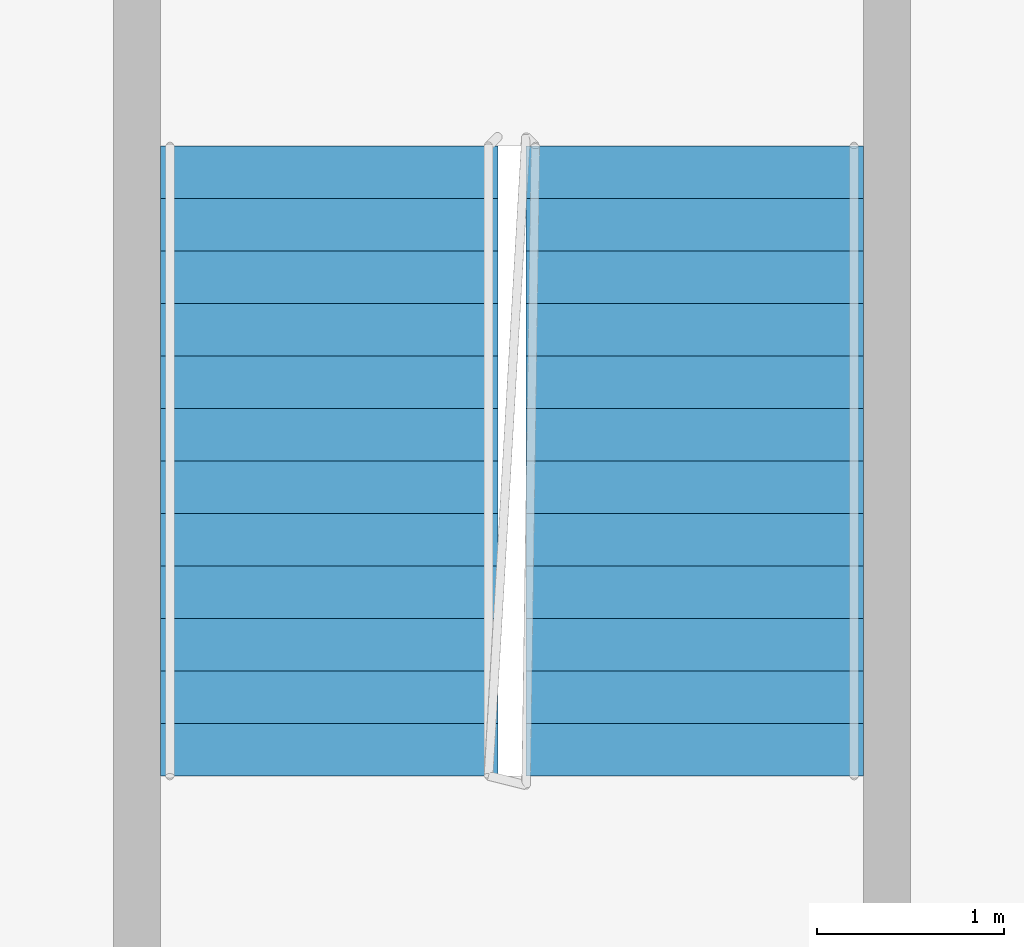
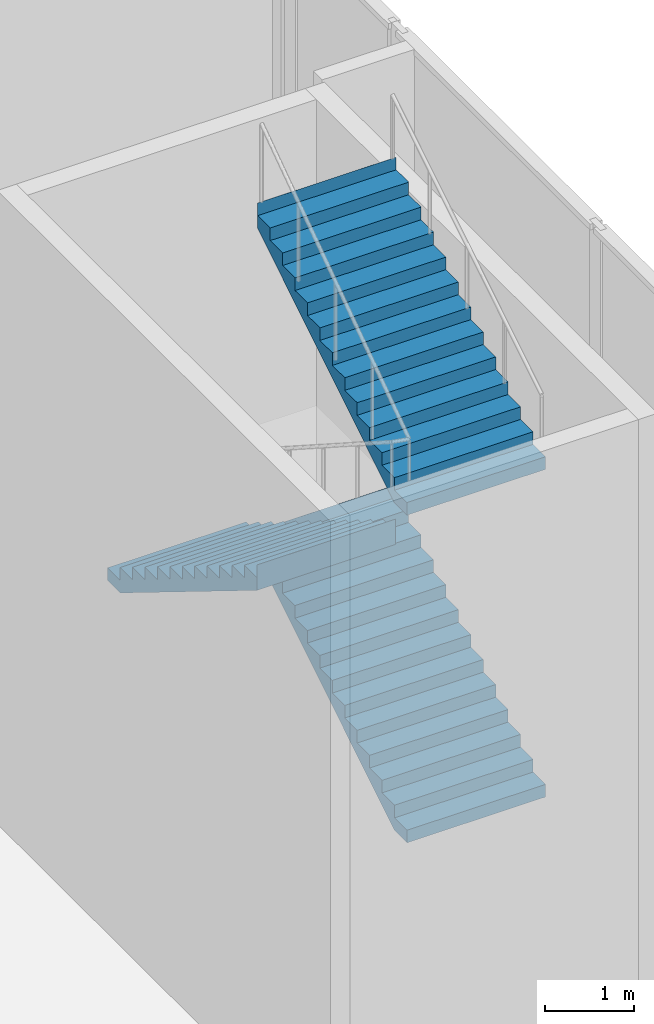
# One storey, part 20 of 24: 3 stair flights, 1 element without a shape of its own.
"""IFC4 building model written with IfcOpenShell, lengths in metres."""

from ifc_helpers import new_model, si_unit, direction, frame, origin, place, context, subcontext, project, spatial, faceted_brep, material, type_object, element, aggregate, save


model = new_model("IFC4")

# Units and contexts
model_context = context("Model", 3, precision=1e-05, world=origin(), true_north=direction((0.0, 1.0)))
body_context = subcontext(model_context, "Body", "Model", "MODEL_VIEW")
ifc_project = project(units=[si_unit("LENGTHUNIT", "METRE"), si_unit("AREAUNIT", "SQUARE_METRE"), si_unit("VOLUMEUNIT", "CUBIC_METRE"), si_unit("PLANEANGLEUNIT", "RADIAN"), si_unit("MASSUNIT", "GRAM", prefix="KILO")], contexts=[model_context])

# Site, building, storey
site_placement = place(None, origin())
site = spatial("IfcSite", under=ifc_project, at=site_placement, CompositionType="ELEMENT")
building_placement = place(site_placement, origin())
building = spatial("IfcBuilding", under=site, at=building_placement, Name="Kajstack Hotel Tower", CompositionType="ELEMENT")
storey_placement = place(building_placement, frame((0.0, 0.0, 38.0)))
storey = spatial("IfcBuildingStorey", under=building, at=storey_placement, Name="L06", CompositionType="ELEMENT", Elevation=38.0)

# Stair, stair flights
ifc_material = material(Name="Concrete C40/50", Category="concrete")
stair_type = type_object("IfcStairType", Name="Escape stair 1800", PredefinedType="HALF_TURN_STAIR", material=ifc_material)
stair_placement = place(storey_placement, origin())
stair = element("IfcStair", 1, at=stair_placement, inside=storey, type_object=stair_type, Name="L06 stair P2", PredefinedType="HALF_TURN_STAIR")
stair_flight_type = type_object("IfcStairFlightType", Name="Escape stair flight 1800", PredefinedType="STRAIGHT", material=ifc_material)
stair_flight_1_placement = place(storey_placement, frame((42.5, -7.159912109375, 2.25), z_axis=(0.0, 0.0, 1.0), x_axis=(0.0, 1.0, 0.0)))
stair_flight_1 = element("IfcStairFlight", 2, at=stair_flight_1_placement, type_object=stair_flight_type, Name="P2 flight 2", NumberOfRisers=13, NumberOfTreads=12, PredefinedType="STRAIGHT", RiserHeight=0.173076923, TreadLength=0.28, context=body_context, shape_type="Brep", body=[
    faceted_brep([(0.28564453125, -0.89990234375, 0.0), (3.360595703125, -0.89990234375, 1.900634765625), (3.360595703125, -0.89990234375, 2.25), (3.360107421875, -0.89990234375, 2.25), (3.360107421875, -0.89990234375, 2.076904296875), (3.080078125, -0.89990234375, 2.076904296875), (3.080078125, -0.89990234375, 1.90380859375), (2.800048828125, -0.89990234375, 1.90380859375), (2.800048828125, -0.89990234375, 1.730712890625), (2.52001953125, -0.89990234375, 1.730712890625), (2.52001953125, -0.89990234375, 1.5576171875), (2.239990234375, -0.89990234375, 1.5576171875), (2.239990234375, -0.89990234375, 1.384521484375), (1.9599609375, -0.89990234375, 1.384521484375), (1.9599609375, -0.89990234375, 1.21142578125), (1.679931640625, -0.89990234375, 1.21142578125), (1.679931640625, -0.89990234375, 1.03857421875), (1.39990234375, -0.89990234375, 1.03857421875), (1.39990234375, -0.89990234375, 0.865478515625), (1.1201171875, -0.89990234375, 0.865478515625), (1.1201171875, -0.89990234375, 0.6923828125), (0.840087890625, -0.89990234375, 0.6923828125), (0.840087890625, -0.89990234375, 0.519287109375), (0.56005859375, -0.89990234375, 0.519287109375), (0.56005859375, -0.89990234375, 0.34619140625), (0.280029296875, -0.89990234375, 0.34619140625), (0.280029296875, -0.89990234375, 0.173095703125), (-0.00048828125, -0.89990234375, 0.173095703125), (-0.00048828125, -0.89990234375, 0.0), (-0.00048828125, 0.89990234375, 0.0), (-0.00048828125, 0.89990234375, 0.173095703125), (0.280029296875, 0.89990234375, 0.173095703125), (0.280029296875, 0.89990234375, 0.34619140625), (0.56005859375, 0.89990234375, 0.34619140625), (0.56005859375, 0.89990234375, 0.519287109375), (0.840087890625, 0.89990234375, 0.519287109375), (0.840087890625, 0.89990234375, 0.6923828125), (1.1201171875, 0.89990234375, 0.6923828125), (1.1201171875, 0.89990234375, 0.865478515625), (1.39990234375, 0.89990234375, 0.865478515625), (1.39990234375, 0.89990234375, 1.03857421875), (1.679931640625, 0.89990234375, 1.03857421875), (1.679931640625, 0.89990234375, 1.21142578125), (1.9599609375, 0.89990234375, 1.21142578125), (1.9599609375, 0.89990234375, 1.384521484375), (2.239990234375, 0.89990234375, 1.384521484375), (2.239990234375, 0.89990234375, 1.5576171875), (2.52001953125, 0.89990234375, 1.5576171875), (2.52001953125, 0.89990234375, 1.730712890625), (2.800048828125, 0.89990234375, 1.730712890625), (2.800048828125, 0.89990234375, 1.90380859375), (3.080078125, 0.89990234375, 1.90380859375), (3.080078125, 0.89990234375, 2.076904296875), (3.360107421875, 0.89990234375, 2.076904296875), (3.360107421875, 0.89990234375, 2.25), (3.360595703125, 0.89990234375, 2.25), (3.360595703125, 0.89990234375, 1.900634765625), (0.28564453125, 0.89990234375, 0.0), (-0.00048828125, -0.449951171875, 0.173095703125), (-0.00048828125, 0.0, 0.173095703125), (-0.00048828125, 0.449951171875, 0.173095703125), (-0.00048828125, 0.449951171875, 0.0), (-0.00048828125, 0.0, 0.0), (-0.00048828125, -0.449951171875, 0.0), (0.280029296875, -0.449951171875, 0.173095703125), (0.280029296875, 0.0, 0.173095703125), (0.280029296875, 0.449951171875, 0.173095703125), (0.280029296875, -0.449951171875, 0.34619140625), (0.280029296875, 0.0, 0.34619140625), (0.280029296875, 0.449951171875, 0.34619140625), (0.56005859375, -0.449951171875, 0.34619140625), (0.56005859375, 0.0, 0.34619140625), (0.56005859375, 0.449951171875, 0.34619140625), (0.56005859375, -0.449951171875, 0.519287109375), (0.56005859375, 0.0, 0.519287109375), (0.56005859375, 0.449951171875, 0.519287109375), (0.840087890625, -0.449951171875, 0.519287109375), (0.840087890625, 0.0, 0.519287109375), (0.840087890625, 0.449951171875, 0.519287109375), (0.840087890625, -0.449951171875, 0.6923828125), (0.840087890625, 0.0, 0.6923828125), (0.840087890625, 0.449951171875, 0.6923828125), (1.1201171875, -0.449951171875, 0.6923828125), (1.1201171875, 0.0, 0.6923828125), (1.1201171875, 0.449951171875, 0.6923828125), (1.1201171875, -0.449951171875, 0.865478515625), (1.1201171875, 0.0, 0.865478515625), (1.1201171875, 0.449951171875, 0.865478515625), (1.39990234375, -0.449951171875, 0.865478515625), (1.39990234375, 0.0, 0.865478515625), (1.39990234375, 0.449951171875, 0.865478515625), (1.39990234375, -0.449951171875, 1.03857421875), (1.39990234375, 0.0, 1.03857421875), (1.39990234375, 0.449951171875, 1.03857421875), (1.679931640625, -0.449951171875, 1.03857421875), (1.679931640625, 0.0, 1.03857421875), (1.679931640625, 0.449951171875, 1.03857421875), (1.679931640625, -0.449951171875, 1.21142578125), (1.679931640625, 0.0, 1.21142578125), (1.679931640625, 0.449951171875, 1.21142578125), (1.9599609375, -0.449951171875, 1.21142578125), (1.9599609375, 0.0, 1.21142578125), (1.9599609375, 0.449951171875, 1.21142578125), (1.9599609375, -0.449951171875, 1.384521484375), (1.9599609375, 0.0, 1.384521484375), (1.9599609375, 0.449951171875, 1.384521484375), (2.239990234375, -0.449951171875, 1.384521484375), (2.239990234375, 0.0, 1.384521484375), (2.239990234375, 0.449951171875, 1.384521484375), (2.239990234375, -0.449951171875, 1.5576171875), (2.239990234375, 0.0, 1.5576171875), (2.239990234375, 0.449951171875, 1.5576171875), (2.52001953125, -0.449951171875, 1.5576171875), (2.52001953125, 0.0, 1.5576171875), (2.52001953125, 0.449951171875, 1.5576171875), (2.52001953125, -0.449951171875, 1.730712890625), (2.52001953125, 0.0, 1.730712890625), (2.52001953125, 0.449951171875, 1.730712890625), (2.800048828125, -0.449951171875, 1.730712890625), (2.800048828125, 0.0, 1.730712890625), (2.800048828125, 0.449951171875, 1.730712890625), (2.800048828125, -0.449951171875, 1.90380859375), (2.800048828125, 0.0, 1.90380859375), (2.800048828125, 0.449951171875, 1.90380859375), (3.080078125, -0.449951171875, 1.90380859375), (3.080078125, 0.0, 1.90380859375), (3.080078125, 0.449951171875, 1.90380859375), (3.080078125, -0.449951171875, 2.076904296875), (3.080078125, 0.0, 2.076904296875), (3.080078125, 0.449951171875, 2.076904296875), (3.360107421875, -0.449951171875, 2.076904296875), (3.360107421875, 0.0, 2.076904296875), (3.360107421875, 0.449951171875, 2.076904296875), (3.360107421875, -0.449951171875, 2.25), (3.360107421875, 0.0, 2.25), (3.360107421875, 0.449951171875, 2.25), (3.360595703125, -0.449951171875, 2.25), (3.360595703125, 0.0, 2.25), (3.360595703125, 0.449951171875, 2.25), (3.360595703125, -0.449951171875, 1.900634765625), (3.360595703125, 0.0, 1.900634765625), (3.360595703125, 0.449951171875, 1.900634765625), (0.28564453125, -0.449951171875, 0.0), (0.28564453125, 0.0, 0.0), (0.28564453125, 0.449951171875, 0.0)], [[[0, 1, 2, 3, 4, 5, 6, 7, 8, 9, 10, 11, 12, 13, 14, 15, 16, 17, 18, 19, 20, 21, 22, 23, 24, 25, 26, 27, 28]], [[29, 30, 31, 32, 33, 34, 35, 36, 37, 38, 39, 40, 41, 42, 43, 44, 45, 46, 47, 48, 49, 50, 51, 52, 53, 54, 55, 56, 57]], [[27, 58, 59, 60, 30, 29, 61, 62, 63, 28]], [[26, 64, 65, 66, 31, 30, 60, 59, 58, 27]], [[25, 67, 68, 69, 32, 31, 66, 65, 64, 26]], [[24, 70, 71, 72, 33, 32, 69, 68, 67, 25]], [[23, 73, 74, 75, 34, 33, 72, 71, 70, 24]], [[22, 76, 77, 78, 35, 34, 75, 74, 73, 23]], [[21, 79, 80, 81, 36, 35, 78, 77, 76, 22]], [[20, 82, 83, 84, 37, 36, 81, 80, 79, 21]], [[19, 85, 86, 87, 38, 37, 84, 83, 82, 20]], [[18, 88, 89, 90, 39, 38, 87, 86, 85, 19]], [[17, 91, 92, 93, 40, 39, 90, 89, 88, 18]], [[16, 94, 95, 96, 41, 40, 93, 92, 91, 17]], [[15, 97, 98, 99, 42, 41, 96, 95, 94, 16]], [[14, 100, 101, 102, 43, 42, 99, 98, 97, 15]], [[13, 103, 104, 105, 44, 43, 102, 101, 100, 14]], [[12, 106, 107, 108, 45, 44, 105, 104, 103, 13]], [[11, 109, 110, 111, 46, 45, 108, 107, 106, 12]], [[10, 112, 113, 114, 47, 46, 111, 110, 109, 11]], [[9, 115, 116, 117, 48, 47, 114, 113, 112, 10]], [[8, 118, 119, 120, 49, 48, 117, 116, 115, 9]], [[7, 121, 122, 123, 50, 49, 120, 119, 118, 8]], [[6, 124, 125, 126, 51, 50, 123, 122, 121, 7]], [[5, 127, 128, 129, 52, 51, 126, 125, 124, 6]], [[4, 130, 131, 132, 53, 52, 129, 128, 127, 5]], [[3, 133, 134, 135, 54, 53, 132, 131, 130, 4]], [[2, 136, 137, 138, 55, 54, 135, 134, 133, 3]], [[1, 139, 140, 141, 56, 55, 138, 137, 136, 2]], [[0, 142, 143, 144, 57, 56, 141, 140, 139, 1]], [[28, 63, 62, 61, 29, 57, 144, 143, 142, 0]]]),
])
stair_flight_2_placement = place(storey_placement, frame((40.550048828125, -3.800048828125, 4.5), z_axis=(0.0, 0.0, 1.0), x_axis=(0.0, -1.0, 0.0)))
stair_flight_2 = element("IfcStairFlight", 3, at=stair_flight_2_placement, type_object=stair_flight_type, Name="P2 flight 3", NumberOfRisers=13, NumberOfTreads=12, PredefinedType="STRAIGHT", RiserHeight=0.173076923, TreadLength=0.28, context=body_context, shape_type="Brep", body=[
    faceted_brep([(0.28564453125, -0.89990234375, 0.0), (3.360595703125, -0.89990234375, 1.900634765625), (3.360595703125, -0.89990234375, 2.25), (3.360107421875, -0.89990234375, 2.25), (3.360107421875, -0.89990234375, 2.076904296875), (3.080078125, -0.89990234375, 2.076904296875), (3.080078125, -0.89990234375, 1.90380859375), (2.800048828125, -0.89990234375, 1.90380859375), (2.800048828125, -0.89990234375, 1.730712890625), (2.52001953125, -0.89990234375, 1.730712890625), (2.52001953125, -0.89990234375, 1.5576171875), (2.239990234375, -0.89990234375, 1.5576171875), (2.239990234375, -0.89990234375, 1.384521484375), (1.9599609375, -0.89990234375, 1.384521484375), (1.9599609375, -0.89990234375, 1.21142578125), (1.679931640625, -0.89990234375, 1.21142578125), (1.679931640625, -0.89990234375, 1.03857421875), (1.39990234375, -0.89990234375, 1.03857421875), (1.39990234375, -0.89990234375, 0.865478515625), (1.1201171875, -0.89990234375, 0.865478515625), (1.1201171875, -0.89990234375, 0.6923828125), (0.840087890625, -0.89990234375, 0.6923828125), (0.840087890625, -0.89990234375, 0.519287109375), (0.56005859375, -0.89990234375, 0.519287109375), (0.56005859375, -0.89990234375, 0.34619140625), (0.280029296875, -0.89990234375, 0.34619140625), (0.280029296875, -0.89990234375, 0.173095703125), (-0.00048828125, -0.89990234375, 0.173095703125), (-0.00048828125, -0.89990234375, 0.0), (-0.00048828125, 0.89990234375, 0.0), (-0.00048828125, 0.89990234375, 0.173095703125), (0.280029296875, 0.89990234375, 0.173095703125), (0.280029296875, 0.89990234375, 0.34619140625), (0.56005859375, 0.89990234375, 0.34619140625), (0.56005859375, 0.89990234375, 0.519287109375), (0.840087890625, 0.89990234375, 0.519287109375), (0.840087890625, 0.89990234375, 0.6923828125), (1.1201171875, 0.89990234375, 0.6923828125), (1.1201171875, 0.89990234375, 0.865478515625), (1.39990234375, 0.89990234375, 0.865478515625), (1.39990234375, 0.89990234375, 1.03857421875), (1.679931640625, 0.89990234375, 1.03857421875), (1.679931640625, 0.89990234375, 1.21142578125), (1.9599609375, 0.89990234375, 1.21142578125), (1.9599609375, 0.89990234375, 1.384521484375), (2.239990234375, 0.89990234375, 1.384521484375), (2.239990234375, 0.89990234375, 1.5576171875), (2.52001953125, 0.89990234375, 1.5576171875), (2.52001953125, 0.89990234375, 1.730712890625), (2.800048828125, 0.89990234375, 1.730712890625), (2.800048828125, 0.89990234375, 1.90380859375), (3.080078125, 0.89990234375, 1.90380859375), (3.080078125, 0.89990234375, 2.076904296875), (3.360107421875, 0.89990234375, 2.076904296875), (3.360107421875, 0.89990234375, 2.25), (3.360595703125, 0.89990234375, 2.25), (3.360595703125, 0.89990234375, 1.900634765625), (0.28564453125, 0.89990234375, 0.0), (-0.00048828125, -0.449951171875, 0.173095703125), (-0.00048828125, 0.0, 0.173095703125), (-0.00048828125, 0.449951171875, 0.173095703125), (-0.00048828125, 0.449951171875, 0.0), (-0.00048828125, 0.0, 0.0), (-0.00048828125, -0.449951171875, 0.0), (0.280029296875, -0.449951171875, 0.173095703125), (0.280029296875, 0.0, 0.173095703125), (0.280029296875, 0.449951171875, 0.173095703125), (0.280029296875, -0.449951171875, 0.34619140625), (0.280029296875, 0.0, 0.34619140625), (0.280029296875, 0.449951171875, 0.34619140625), (0.56005859375, -0.449951171875, 0.34619140625), (0.56005859375, 0.0, 0.34619140625), (0.56005859375, 0.449951171875, 0.34619140625), (0.56005859375, -0.449951171875, 0.519287109375), (0.56005859375, 0.0, 0.519287109375), (0.56005859375, 0.449951171875, 0.519287109375), (0.840087890625, -0.449951171875, 0.519287109375), (0.840087890625, 0.0, 0.519287109375), (0.840087890625, 0.449951171875, 0.519287109375), (0.840087890625, -0.449951171875, 0.6923828125), (0.840087890625, 0.0, 0.6923828125), (0.840087890625, 0.449951171875, 0.6923828125), (1.1201171875, -0.449951171875, 0.6923828125), (1.1201171875, 0.0, 0.6923828125), (1.1201171875, 0.449951171875, 0.6923828125), (1.1201171875, -0.449951171875, 0.865478515625), (1.1201171875, 0.0, 0.865478515625), (1.1201171875, 0.449951171875, 0.865478515625), (1.39990234375, -0.449951171875, 0.865478515625), (1.39990234375, 0.0, 0.865478515625), (1.39990234375, 0.449951171875, 0.865478515625), (1.39990234375, -0.449951171875, 1.03857421875), (1.39990234375, 0.0, 1.03857421875), (1.39990234375, 0.449951171875, 1.03857421875), (1.679931640625, -0.449951171875, 1.03857421875), (1.679931640625, 0.0, 1.03857421875), (1.679931640625, 0.449951171875, 1.03857421875), (1.679931640625, -0.449951171875, 1.21142578125), (1.679931640625, 0.0, 1.21142578125), (1.679931640625, 0.449951171875, 1.21142578125), (1.9599609375, -0.449951171875, 1.21142578125), (1.9599609375, 0.0, 1.21142578125), (1.9599609375, 0.449951171875, 1.21142578125), (1.9599609375, -0.449951171875, 1.384521484375), (1.9599609375, 0.0, 1.384521484375), (1.9599609375, 0.449951171875, 1.384521484375), (2.239990234375, -0.449951171875, 1.384521484375), (2.239990234375, 0.0, 1.384521484375), (2.239990234375, 0.449951171875, 1.384521484375), (2.239990234375, -0.449951171875, 1.5576171875), (2.239990234375, 0.0, 1.5576171875), (2.239990234375, 0.449951171875, 1.5576171875), (2.52001953125, -0.449951171875, 1.5576171875), (2.52001953125, 0.0, 1.5576171875), (2.52001953125, 0.449951171875, 1.5576171875), (2.52001953125, -0.449951171875, 1.730712890625), (2.52001953125, 0.0, 1.730712890625), (2.52001953125, 0.449951171875, 1.730712890625), (2.800048828125, -0.449951171875, 1.730712890625), (2.800048828125, 0.0, 1.730712890625), (2.800048828125, 0.449951171875, 1.730712890625), (2.800048828125, -0.449951171875, 1.90380859375), (2.800048828125, 0.0, 1.90380859375), (2.800048828125, 0.449951171875, 1.90380859375), (3.080078125, -0.449951171875, 1.90380859375), (3.080078125, 0.0, 1.90380859375), (3.080078125, 0.449951171875, 1.90380859375), (3.080078125, -0.449951171875, 2.076904296875), (3.080078125, 0.0, 2.076904296875), (3.080078125, 0.449951171875, 2.076904296875), (3.360107421875, -0.449951171875, 2.076904296875), (3.360107421875, 0.0, 2.076904296875), (3.360107421875, 0.449951171875, 2.076904296875), (3.360107421875, -0.449951171875, 2.25), (3.360107421875, 0.0, 2.25), (3.360107421875, 0.449951171875, 2.25), (3.360595703125, -0.449951171875, 2.25), (3.360595703125, 0.0, 2.25), (3.360595703125, 0.449951171875, 2.25), (3.360595703125, -0.449951171875, 1.900634765625), (3.360595703125, 0.0, 1.900634765625), (3.360595703125, 0.449951171875, 1.900634765625), (0.28564453125, -0.449951171875, 0.0), (0.28564453125, 0.0, 0.0), (0.28564453125, 0.449951171875, 0.0)], [[[0, 1, 2, 3, 4, 5, 6, 7, 8, 9, 10, 11, 12, 13, 14, 15, 16, 17, 18, 19, 20, 21, 22, 23, 24, 25, 26, 27, 28]], [[29, 30, 31, 32, 33, 34, 35, 36, 37, 38, 39, 40, 41, 42, 43, 44, 45, 46, 47, 48, 49, 50, 51, 52, 53, 54, 55, 56, 57]], [[27, 58, 59, 60, 30, 29, 61, 62, 63, 28]], [[26, 64, 65, 66, 31, 30, 60, 59, 58, 27]], [[25, 67, 68, 69, 32, 31, 66, 65, 64, 26]], [[24, 70, 71, 72, 33, 32, 69, 68, 67, 25]], [[23, 73, 74, 75, 34, 33, 72, 71, 70, 24]], [[22, 76, 77, 78, 35, 34, 75, 74, 73, 23]], [[21, 79, 80, 81, 36, 35, 78, 77, 76, 22]], [[20, 82, 83, 84, 37, 36, 81, 80, 79, 21]], [[19, 85, 86, 87, 38, 37, 84, 83, 82, 20]], [[18, 88, 89, 90, 39, 38, 87, 86, 85, 19]], [[17, 91, 92, 93, 40, 39, 90, 89, 88, 18]], [[16, 94, 95, 96, 41, 40, 93, 92, 91, 17]], [[15, 97, 98, 99, 42, 41, 96, 95, 94, 16]], [[14, 100, 101, 102, 43, 42, 99, 98, 97, 15]], [[13, 103, 104, 105, 44, 43, 102, 101, 100, 14]], [[12, 106, 107, 108, 45, 44, 105, 104, 103, 13]], [[11, 109, 110, 111, 46, 45, 108, 107, 106, 12]], [[10, 112, 113, 114, 47, 46, 111, 110, 109, 11]], [[9, 115, 116, 117, 48, 47, 114, 113, 112, 10]], [[8, 118, 119, 120, 49, 48, 117, 116, 115, 9]], [[7, 121, 122, 123, 50, 49, 120, 119, 118, 8]], [[6, 124, 125, 126, 51, 50, 123, 122, 121, 7]], [[5, 127, 128, 129, 52, 51, 126, 125, 124, 6]], [[4, 130, 131, 132, 53, 52, 129, 128, 127, 5]], [[3, 133, 134, 135, 54, 53, 132, 131, 130, 4]], [[2, 136, 137, 138, 55, 54, 135, 134, 133, 3]], [[1, 139, 140, 141, 56, 55, 138, 137, 136, 2]], [[0, 142, 143, 144, 57, 56, 141, 140, 139, 1]], [[28, 63, 62, 61, 29, 57, 144, 143, 142, 0]]]),
])
stair_flight_3_placement = place(storey_placement, frame((42.5, -7.159912109375, 6.75), z_axis=(0.0, 0.0, 1.0), x_axis=(0.0, 1.0, 0.0)))
stair_flight_3 = element("IfcStairFlight", 4, at=stair_flight_3_placement, type_object=stair_flight_type, Name="P2 flight 4", NumberOfRisers=13, NumberOfTreads=12, PredefinedType="STRAIGHT", RiserHeight=0.173076923, TreadLength=0.28, context=body_context, shape_type="Brep", body=[
    faceted_brep([(0.28564453125, -0.89990234375, 0.0), (3.360595703125, -0.89990234375, 1.900634765625), (3.360595703125, -0.89990234375, 2.25), (3.360107421875, -0.89990234375, 2.25), (3.360107421875, -0.89990234375, 2.076904296875), (3.080078125, -0.89990234375, 2.076904296875), (3.080078125, -0.89990234375, 1.90380859375), (2.800048828125, -0.89990234375, 1.90380859375), (2.800048828125, -0.89990234375, 1.730712890625), (2.52001953125, -0.89990234375, 1.730712890625), (2.52001953125, -0.89990234375, 1.5576171875), (2.239990234375, -0.89990234375, 1.5576171875), (2.239990234375, -0.89990234375, 1.384521484375), (1.9599609375, -0.89990234375, 1.384521484375), (1.9599609375, -0.89990234375, 1.21142578125), (1.679931640625, -0.89990234375, 1.21142578125), (1.679931640625, -0.89990234375, 1.03857421875), (1.39990234375, -0.89990234375, 1.03857421875), (1.39990234375, -0.89990234375, 0.865478515625), (1.1201171875, -0.89990234375, 0.865478515625), (1.1201171875, -0.89990234375, 0.6923828125), (0.840087890625, -0.89990234375, 0.6923828125), (0.840087890625, -0.89990234375, 0.519287109375), (0.56005859375, -0.89990234375, 0.519287109375), (0.56005859375, -0.89990234375, 0.34619140625), (0.280029296875, -0.89990234375, 0.34619140625), (0.280029296875, -0.89990234375, 0.173095703125), (-0.00048828125, -0.89990234375, 0.173095703125), (-0.00048828125, -0.89990234375, 0.0), (-0.00048828125, 0.89990234375, 0.0), (-0.00048828125, 0.89990234375, 0.173095703125), (0.280029296875, 0.89990234375, 0.173095703125), (0.280029296875, 0.89990234375, 0.34619140625), (0.56005859375, 0.89990234375, 0.34619140625), (0.56005859375, 0.89990234375, 0.519287109375), (0.840087890625, 0.89990234375, 0.519287109375), (0.840087890625, 0.89990234375, 0.6923828125), (1.1201171875, 0.89990234375, 0.6923828125), (1.1201171875, 0.89990234375, 0.865478515625), (1.39990234375, 0.89990234375, 0.865478515625), (1.39990234375, 0.89990234375, 1.03857421875), (1.679931640625, 0.89990234375, 1.03857421875), (1.679931640625, 0.89990234375, 1.21142578125), (1.9599609375, 0.89990234375, 1.21142578125), (1.9599609375, 0.89990234375, 1.384521484375), (2.239990234375, 0.89990234375, 1.384521484375), (2.239990234375, 0.89990234375, 1.5576171875), (2.52001953125, 0.89990234375, 1.5576171875), (2.52001953125, 0.89990234375, 1.730712890625), (2.800048828125, 0.89990234375, 1.730712890625), (2.800048828125, 0.89990234375, 1.90380859375), (3.080078125, 0.89990234375, 1.90380859375), (3.080078125, 0.89990234375, 2.076904296875), (3.360107421875, 0.89990234375, 2.076904296875), (3.360107421875, 0.89990234375, 2.25), (3.360595703125, 0.89990234375, 2.25), (3.360595703125, 0.89990234375, 1.900634765625), (0.28564453125, 0.89990234375, 0.0), (-0.00048828125, -0.449951171875, 0.173095703125), (-0.00048828125, 0.0, 0.173095703125), (-0.00048828125, 0.449951171875, 0.173095703125), (-0.00048828125, 0.449951171875, 0.0), (-0.00048828125, 0.0, 0.0), (-0.00048828125, -0.449951171875, 0.0), (0.280029296875, -0.449951171875, 0.173095703125), (0.280029296875, 0.0, 0.173095703125), (0.280029296875, 0.449951171875, 0.173095703125), (0.280029296875, -0.449951171875, 0.34619140625), (0.280029296875, 0.0, 0.34619140625), (0.280029296875, 0.449951171875, 0.34619140625), (0.56005859375, -0.449951171875, 0.34619140625), (0.56005859375, 0.0, 0.34619140625), (0.56005859375, 0.449951171875, 0.34619140625), (0.56005859375, -0.449951171875, 0.519287109375), (0.56005859375, 0.0, 0.519287109375), (0.56005859375, 0.449951171875, 0.519287109375), (0.840087890625, -0.449951171875, 0.519287109375), (0.840087890625, 0.0, 0.519287109375), (0.840087890625, 0.449951171875, 0.519287109375), (0.840087890625, -0.449951171875, 0.6923828125), (0.840087890625, 0.0, 0.6923828125), (0.840087890625, 0.449951171875, 0.6923828125), (1.1201171875, -0.449951171875, 0.6923828125), (1.1201171875, 0.0, 0.6923828125), (1.1201171875, 0.449951171875, 0.6923828125), (1.1201171875, -0.449951171875, 0.865478515625), (1.1201171875, 0.0, 0.865478515625), (1.1201171875, 0.449951171875, 0.865478515625), (1.39990234375, -0.449951171875, 0.865478515625), (1.39990234375, 0.0, 0.865478515625), (1.39990234375, 0.449951171875, 0.865478515625), (1.39990234375, -0.449951171875, 1.03857421875), (1.39990234375, 0.0, 1.03857421875), (1.39990234375, 0.449951171875, 1.03857421875), (1.679931640625, -0.449951171875, 1.03857421875), (1.679931640625, 0.0, 1.03857421875), (1.679931640625, 0.449951171875, 1.03857421875), (1.679931640625, -0.449951171875, 1.21142578125), (1.679931640625, 0.0, 1.21142578125), (1.679931640625, 0.449951171875, 1.21142578125), (1.9599609375, -0.449951171875, 1.21142578125), (1.9599609375, 0.0, 1.21142578125), (1.9599609375, 0.449951171875, 1.21142578125), (1.9599609375, -0.449951171875, 1.384521484375), (1.9599609375, 0.0, 1.384521484375), (1.9599609375, 0.449951171875, 1.384521484375), (2.239990234375, -0.449951171875, 1.384521484375), (2.239990234375, 0.0, 1.384521484375), (2.239990234375, 0.449951171875, 1.384521484375), (2.239990234375, -0.449951171875, 1.5576171875), (2.239990234375, 0.0, 1.5576171875), (2.239990234375, 0.449951171875, 1.5576171875), (2.52001953125, -0.449951171875, 1.5576171875), (2.52001953125, 0.0, 1.5576171875), (2.52001953125, 0.449951171875, 1.5576171875), (2.52001953125, -0.449951171875, 1.730712890625), (2.52001953125, 0.0, 1.730712890625), (2.52001953125, 0.449951171875, 1.730712890625), (2.800048828125, -0.449951171875, 1.730712890625), (2.800048828125, 0.0, 1.730712890625), (2.800048828125, 0.449951171875, 1.730712890625), (2.800048828125, -0.449951171875, 1.90380859375), (2.800048828125, 0.0, 1.90380859375), (2.800048828125, 0.449951171875, 1.90380859375), (3.080078125, -0.449951171875, 1.90380859375), (3.080078125, 0.0, 1.90380859375), (3.080078125, 0.449951171875, 1.90380859375), (3.080078125, -0.449951171875, 2.076904296875), (3.080078125, 0.0, 2.076904296875), (3.080078125, 0.449951171875, 2.076904296875), (3.360107421875, -0.449951171875, 2.076904296875), (3.360107421875, 0.0, 2.076904296875), (3.360107421875, 0.449951171875, 2.076904296875), (3.360107421875, -0.449951171875, 2.25), (3.360107421875, 0.0, 2.25), (3.360107421875, 0.449951171875, 2.25), (3.360595703125, -0.449951171875, 2.25), (3.360595703125, 0.0, 2.25), (3.360595703125, 0.449951171875, 2.25), (3.360595703125, -0.449951171875, 1.900634765625), (3.360595703125, 0.0, 1.900634765625), (3.360595703125, 0.449951171875, 1.900634765625), (0.28564453125, -0.449951171875, 0.0), (0.28564453125, 0.0, 0.0), (0.28564453125, 0.449951171875, 0.0)], [[[0, 1, 2, 3, 4, 5, 6, 7, 8, 9, 10, 11, 12, 13, 14, 15, 16, 17, 18, 19, 20, 21, 22, 23, 24, 25, 26, 27, 28]], [[29, 30, 31, 32, 33, 34, 35, 36, 37, 38, 39, 40, 41, 42, 43, 44, 45, 46, 47, 48, 49, 50, 51, 52, 53, 54, 55, 56, 57]], [[27, 58, 59, 60, 30, 29, 61, 62, 63, 28]], [[26, 64, 65, 66, 31, 30, 60, 59, 58, 27]], [[25, 67, 68, 69, 32, 31, 66, 65, 64, 26]], [[24, 70, 71, 72, 33, 32, 69, 68, 67, 25]], [[23, 73, 74, 75, 34, 33, 72, 71, 70, 24]], [[22, 76, 77, 78, 35, 34, 75, 74, 73, 23]], [[21, 79, 80, 81, 36, 35, 78, 77, 76, 22]], [[20, 82, 83, 84, 37, 36, 81, 80, 79, 21]], [[19, 85, 86, 87, 38, 37, 84, 83, 82, 20]], [[18, 88, 89, 90, 39, 38, 87, 86, 85, 19]], [[17, 91, 92, 93, 40, 39, 90, 89, 88, 18]], [[16, 94, 95, 96, 41, 40, 93, 92, 91, 17]], [[15, 97, 98, 99, 42, 41, 96, 95, 94, 16]], [[14, 100, 101, 102, 43, 42, 99, 98, 97, 15]], [[13, 103, 104, 105, 44, 43, 102, 101, 100, 14]], [[12, 106, 107, 108, 45, 44, 105, 104, 103, 13]], [[11, 109, 110, 111, 46, 45, 108, 107, 106, 12]], [[10, 112, 113, 114, 47, 46, 111, 110, 109, 11]], [[9, 115, 116, 117, 48, 47, 114, 113, 112, 10]], [[8, 118, 119, 120, 49, 48, 117, 116, 115, 9]], [[7, 121, 122, 123, 50, 49, 120, 119, 118, 8]], [[6, 124, 125, 126, 51, 50, 123, 122, 121, 7]], [[5, 127, 128, 129, 52, 51, 126, 125, 124, 6]], [[4, 130, 131, 132, 53, 52, 129, 128, 127, 5]], [[3, 133, 134, 135, 54, 53, 132, 131, 130, 4]], [[2, 136, 137, 138, 55, 54, 135, 134, 133, 3]], [[1, 139, 140, 141, 56, 55, 138, 137, 136, 2]], [[0, 142, 143, 144, 57, 56, 141, 140, 139, 1]], [[28, 63, 62, 61, 29, 57, 144, 143, 142, 0]]]),
])
aggregate(stair, [stair_flight_1, stair_flight_2, stair_flight_3])

save(model, "model.ifc")
